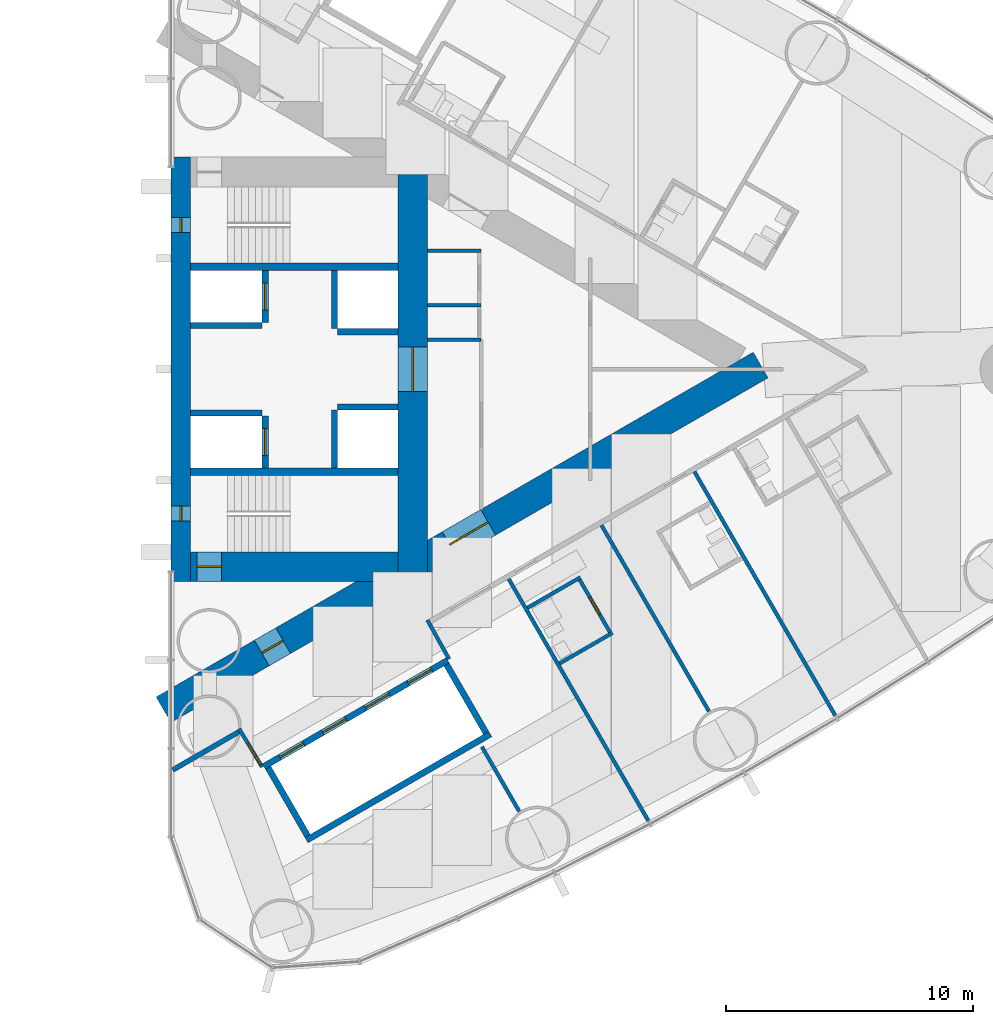
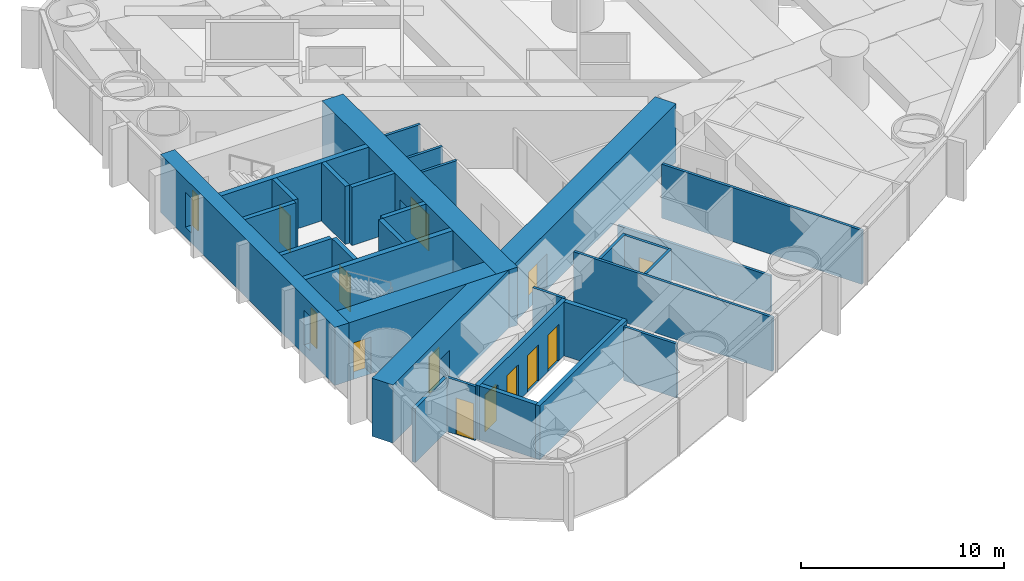
# One storey, part 13 of 18: 31 walls, 12 doors, 2 windows, 14 openings.
"""IFC4 building model written with IfcOpenShell, lengths in metres."""

from ifc_helpers import new_model, si_unit, direction, frame, frame_2d, origin, place, context, subcontext, project, spatial, rectangle, extrude, material, layer, layer_set, type_object, element, fill, save


model = new_model("IFC4")

# Units and contexts
model_context = context("Model", 3, precision=1e-05, world=origin(), true_north=direction((0.0, 1.0)))
body_context = subcontext(model_context, "Body", "Model", "MODEL_VIEW")
ifc_project = project(units=[si_unit("LENGTHUNIT", "METRE"), si_unit("AREAUNIT", "SQUARE_METRE"), si_unit("VOLUMEUNIT", "CUBIC_METRE"), si_unit("PLANEANGLEUNIT", "RADIAN"), si_unit("MASSUNIT", "GRAM", prefix="KILO")], contexts=[model_context])

# Site, building, storey
site_placement = place(None, origin())
site = spatial("IfcSite", under=ifc_project, at=site_placement, CompositionType="ELEMENT")
building_placement = place(site_placement, origin())
building = spatial("IfcBuilding", under=site, at=building_placement, Name="Lancet Gate Hotel", CompositionType="ELEMENT")
storey_placement = place(building_placement, frame((0.0, 0.0, 97.60009765625)))
storey = spatial("IfcBuildingStorey", under=building, at=storey_placement, Name="L25", CompositionType="ELEMENT", Elevation=97.60009765625)

# Wall
ifc_material_1 = material(Name="Moisture resistant board partition")
ifc_layer_1 = layer(ifc_material_1, 0.14990234375)
ifc_layer_set_1 = layer_set([ifc_layer_1], Name="Bathroom wall 150")
wall_type_1 = type_object("IfcWallType", Name="Bathroom wall 150", PredefinedType="PARTITIONING", material=ifc_layer_set_1)
wall_1_placement = place(storey_placement, frame((43.2548828125, -11.9208984375, 0.0), z_axis=(0.0, 0.0, 1.0), x_axis=(0.866006523861, 0.500032699561, 0.0)))
element("IfcWall", 1, at=wall_1_placement, inside=storey, type_object=wall_type_1, Name="T2 bathroom wall 150 L25", PredefinedType="PARTITIONING", context=body_context, shape_type="SweptSolid", body=[
    extrude(rectangle(XDim=2.474853515625, YDim=0.14990234375, at=frame_2d((1.2373046875, 0.0))), origin(), (0.0, 0.0, 1.0), 3.25),
])

# Wall, opening, door
wall_2_placement = place(storey_placement, frame((44.033203125, -8.46923828125, 0.0), z_axis=(0.0, 0.0, 1.0), x_axis=(0.500047596559, -0.865997922154, 0.0)))
wall_2 = element("IfcWall", 2, at=wall_2_placement, inside=storey, type_object=wall_type_1, Name="T2 bathroom wall 150 L25", PredefinedType="PARTITIONING", context=body_context, shape_type="SweptSolid", body=[
    extrude(rectangle(XDim=2.599853515625, YDim=0.14990234375, at=frame_2d((1.2998046875, 0.0))), origin(), (0.0, 0.0, 1.0), 3.25),
])
opening_1_placement = place(wall_2_placement, frame((0.89990234375, 0.0, 0.0)))
opening_1 = element("IfcOpeningElement", 3, at=opening_1_placement, cuts=wall_2, Name="Opening 2554-B", PredefinedType="OPENING", context=body_context, shape_type="SweptSolid", body=[
    extrude(rectangle(XDim=0.800048828125, YDim=2.199951171875, at=frame_2d((0.39990234375, 1.10009765625))), frame((0.0, 0.0849609375, 0.0), z_axis=(0.0, -1.0, 0.0), x_axis=(1.0, 0.0, 0.0)), (0.0, 0.0, 1.0), 0.169921875),
])
ifc_material_2 = material(Name="Timber door set", Category="wood")
door_type_1 = type_object("IfcDoorType", Name="Bathroom door 800", OperationType="SINGLE_SWING_RIGHT", PredefinedType="DOOR", material=ifc_material_2)
door_1_placement = place(opening_1_placement, origin())
door_1 = element("IfcDoor", 4, at=door_1_placement, inside=storey, type_object=door_type_1, Name="2554-B", OperationType="SINGLE_SWING_RIGHT", OverallHeight=2.199951171875, OverallWidth=0.800048828125, PredefinedType="DOOR", context=body_context, shape_type="SweptSolid", body=[
    extrude(rectangle(XDim=0.800048828125, YDim=2.199951171875, at=frame_2d((0.39990234375, 1.10009765625))), frame((0.0, 0.02490234375, 0.0), z_axis=(0.0, -1.0, 0.0), x_axis=(1.0, 0.0, 0.0)), (0.0, 0.0, 1.0), 0.050048828125),
])
fill(opening_1, door_1)

# Wall
wall_3_placement = place(storey_placement, frame((41.954833984375, -9.669189453125, 0.0), z_axis=(0.0, 0.0, 1.0), x_axis=(0.866006523861, 0.500032699561, 0.0)))
element("IfcWall", 5, at=wall_3_placement, inside=storey, type_object=wall_type_1, Name="T2 bathroom wall 150 L25", PredefinedType="PARTITIONING", context=body_context, shape_type="SweptSolid", body=[
    extrude(rectangle(XDim=2.474853515625, YDim=0.14990234375, at=frame_2d((1.2373046875, 0.0))), origin(), (0.0, 0.0, 1.0), 3.25),
])

# Wall, openings, doors
ifc_material_3 = material(Name="Concrete C70/85", Category="concrete")
ifc_layer_2 = layer(ifc_material_3, 1.199951171875)
ifc_layer_set_2 = layer_set([ifc_layer_2], Name="Buttress wall 1200")
wall_type_2 = type_object("IfcWallType", Name="Buttress wall 1200", PredefinedType="SHEAR", material=ifc_layer_set_2)
wall_4_placement = place(storey_placement, frame((27.199951171875, -13.800048828125, 0.0), z_axis=(0.0, 0.0, 1.0), x_axis=(0.866027159892, 0.499996958321, 0.0)))
wall_4 = element("IfcWall", 6, at=wall_4_placement, inside=storey, type_object=wall_type_2, Name="T2 buttress wall S L25", PredefinedType="SHEAR", context=body_context, shape_type="SweptSolid", body=[
    extrude(rectangle(XDim=27.946533203125, YDim=1.199951171875, at=frame_2d((13.97314453125, 0.0))), origin(), (0.0, 0.0, 1.0), 3.5),
])
opening_2_placement = place(wall_4_placement, frame((4.60009765625, 0.0, 0.0)))
opening_2 = element("IfcOpeningElement", 7, at=opening_2_placement, cuts=wall_4, Name="Opening T2-L25-LS", PredefinedType="OPENING", context=body_context, shape_type="SweptSolid", body=[
    extrude(rectangle(XDim=1.0, YDim=2.199951171875, at=frame_2d((0.5, 1.10009765625))), frame((0.0, 0.60986328125, 0.0), z_axis=(0.0, -1.0, 0.0), x_axis=(1.0, 0.0, 0.0)), (0.0, 0.0, 1.0), 1.219970703125),
])
opening_3_placement = place(wall_4_placement, frame((13.39453125, 0.0, 0.0)))
opening_3 = element("IfcOpeningElement", 8, at=opening_3_placement, cuts=wall_4, Name="Opening T2-L25-LHS", PredefinedType="OPENING", context=body_context, shape_type="SweptSolid", body=[
    extrude(rectangle(XDim=1.800048828125, YDim=2.199951171875, at=frame_2d((0.89990234375, 1.10009765625))), frame((0.0, 0.60986328125, 0.0), z_axis=(0.0, -1.0, 0.0), x_axis=(1.0, 0.0, 0.0)), (0.0, 0.0, 1.0), 1.219970703125),
])
ifc_material_4 = material(Name="Timber door set", Category="wood")
door_type_2 = type_object("IfcDoorType", Name="Lobby double door 1800", OperationType="DOUBLE_DOOR_SINGLE_SWING", PredefinedType="DOOR", material=ifc_material_4)
door_2_placement = place(opening_3_placement, origin())
door_2 = element("IfcDoor", 9, at=door_2_placement, inside=storey, type_object=door_type_2, Name="T2-L25-LHS", OperationType="DOUBLE_DOOR_SINGLE_SWING", OverallHeight=2.199951171875, OverallWidth=1.800048828125, PredefinedType="DOOR", context=body_context, shape_type="SweptSolid", body=[
    extrude(rectangle(XDim=1.800048828125, YDim=2.199951171875, at=frame_2d((0.89990234375, 1.10009765625))), frame((0.0, 0.02490234375, 0.0), z_axis=(0.0, -1.0, 0.0), x_axis=(1.0, 0.0, 0.0)), (0.0, 0.0, 1.0), 0.050048828125),
])
fill(opening_3, door_2)
ifc_material_5 = material(Name="Timber door set", Category="wood")
door_type_3 = type_object("IfcDoorType", Name="Stair lobby door 1000", OperationType="SINGLE_SWING_LEFT", PredefinedType="DOOR", material=ifc_material_5)
door_3_placement = place(opening_2_placement, origin())
door_3 = element("IfcDoor", 10, at=door_3_placement, inside=storey, type_object=door_type_3, Name="T2-L25-LS", OperationType="SINGLE_SWING_LEFT", OverallHeight=2.199951171875, OverallWidth=1.0, PredefinedType="DOOR", context=body_context, shape_type="SweptSolid", body=[
    extrude(rectangle(XDim=1.0, YDim=2.199951171875, at=frame_2d((0.5, 1.10009765625))), frame((0.0, 0.02490234375, 0.0), z_axis=(0.0, -1.0, 0.0), x_axis=(1.0, 0.0, 0.0)), (0.0, 0.0, 1.0), 0.050048828125),
])
fill(opening_2, door_3)

# Wall, opening, door
ifc_material_6 = material(Name="Concrete C70/85", Category="concrete")
ifc_layer_3 = layer(ifc_material_6, 1.199951171875)
ifc_layer_set_3 = layer_set([ifc_layer_3], Name="Core wall 1200")
wall_type_3 = type_object("IfcWallType", Name="Core wall 1200", PredefinedType="SHEAR", material=ifc_layer_set_3)
wall_5_placement = place(storey_placement, frame((37.300048828125, -8.60009765625, 0.0), z_axis=(0.0, 0.0, 1.0), x_axis=(0.0, 1.0, 0.0)))
wall_5 = element("IfcWall", 11, at=wall_5_placement, inside=storey, type_object=wall_type_3, Name="T2 core wall back L25", PredefinedType="SHEAR", context=body_context, shape_type="SweptSolid", body=[
    extrude(rectangle(XDim=17.2001953125, YDim=1.199951171875, at=frame_2d((8.60009765625, 0.0))), origin(), (0.0, 0.0, 1.0), 3.5),
])
opening_4_placement = place(wall_5_placement, frame((7.699951171875, 0.0, 0.0)))
opening_4 = element("IfcOpeningElement", 12, at=opening_4_placement, cuts=wall_5, Name="Opening T2-L25-LL", PredefinedType="OPENING", context=body_context, shape_type="SweptSolid", body=[
    extrude(rectangle(XDim=1.800048828125, YDim=2.199951171875, at=frame_2d((0.89990234375, 1.10009765625))), frame((0.0, 0.60986328125, 0.0), z_axis=(0.0, -1.0, 0.0), x_axis=(1.0, 0.0, 0.0)), (0.0, 0.0, 1.0), 1.219970703125),
])
door_4_placement = place(opening_4_placement, origin())
door_4 = element("IfcDoor", 13, at=door_4_placement, inside=storey, type_object=door_type_2, Name="T2-L25-LL", OperationType="DOUBLE_DOOR_SINGLE_SWING", OverallHeight=2.199951171875, OverallWidth=1.800048828125, PredefinedType="DOOR", context=body_context, shape_type="SweptSolid", body=[
    extrude(rectangle(XDim=1.800048828125, YDim=2.199951171875, at=frame_2d((0.89990234375, 1.10009765625))), frame((0.0, 0.02490234375, 0.0), z_axis=(0.0, -1.0, 0.0), x_axis=(1.0, 0.0, 0.0)), (0.0, 0.0, 1.0), 0.050048828125),
])
fill(opening_4, door_4)

wall_6_placement = place(storey_placement, frame((28.300048828125, -8.0, 0.0), z_axis=(0.0, 0.0, 1.0), x_axis=(1.0, 0.0, 0.0)))
wall_6 = element("IfcWall", 14, at=wall_6_placement, inside=storey, type_object=wall_type_3, Name="T2 core wall side-S L25", PredefinedType="SHEAR", context=body_context, shape_type="SweptSolid", body=[
    extrude(rectangle(XDim=8.39990234375, YDim=1.199951171875, at=frame_2d((4.199951171875, 0.0))), origin(), (0.0, 0.0, 1.0), 3.5),
])
opening_5_placement = place(wall_6_placement, frame((0.25, 0.0, 0.0)))
opening_5 = element("IfcOpeningElement", 15, at=opening_5_placement, cuts=wall_6, Name="Opening T2-L25-ST1", PredefinedType="OPENING", context=body_context, shape_type="SweptSolid", body=[
    extrude(rectangle(XDim=1.0, YDim=2.199951171875, at=frame_2d((0.5, 1.10009765625))), frame((0.0, 0.60986328125, 0.0), z_axis=(0.0, -1.0, 0.0), x_axis=(1.0, 0.0, 0.0)), (0.0, 0.0, 1.0), 1.219970703125),
])
ifc_material_7 = material(Name="Timber door set", Category="wood")
door_type_4 = type_object("IfcDoorType", Name="Stair door 1000", OperationType="SINGLE_SWING_RIGHT", PredefinedType="DOOR", material=ifc_material_7)
door_5_placement = place(opening_5_placement, origin())
door_5 = element("IfcDoor", 16, at=door_5_placement, inside=storey, type_object=door_type_4, Name="T2-L25-ST1", OperationType="SINGLE_SWING_RIGHT", OverallHeight=2.199951171875, OverallWidth=1.0, PredefinedType="DOOR", context=body_context, shape_type="SweptSolid", body=[
    extrude(rectangle(XDim=1.0, YDim=2.199951171875, at=frame_2d((0.5, 1.10009765625))), frame((0.0, 0.02490234375, 0.0), z_axis=(0.0, -1.0, 0.0), x_axis=(1.0, 0.0, 0.0)), (0.0, 0.0, 1.0), 0.050048828125),
])
fill(opening_5, door_5)

# Wall, openings, windows
ifc_material_8 = material(Name="Concrete C70/85", Category="concrete")
ifc_layer_4 = layer(ifc_material_8, 0.800048828125)
ifc_layer_set_4 = layer_set([ifc_layer_4], Name="Core wall 800")
wall_type_4 = type_object("IfcWallType", Name="Core wall 800", PredefinedType="SHEAR", material=ifc_layer_set_4)
wall_7_placement = place(storey_placement, frame((27.89990234375, -8.60009765625, 0.0), z_axis=(0.0, 0.0, 1.0), x_axis=(0.0, 1.0, 0.0)))
wall_7 = element("IfcWall", 17, at=wall_7_placement, inside=storey, type_object=wall_type_4, Name="T2 core wall front L25", PredefinedType="SHEAR", context=body_context, shape_type="SweptSolid", body=[
    extrude(rectangle(XDim=17.2001953125, YDim=0.800048828125, at=frame_2d((8.60009765625, 0.0))), origin(), (0.0, 0.0, 1.0), 3.5),
])
opening_6_placement = place(wall_7_placement, frame((2.449951171875, 0.0, 0.60009765625)))
opening_6 = element("IfcOpeningElement", 18, at=opening_6_placement, cuts=wall_7, Name="Opening LW1", PredefinedType="OPENING", context=body_context, shape_type="SweptSolid", body=[
    extrude(rectangle(XDim=0.60009765625, YDim=2.10009765625, at=frame_2d((0.300048828125, 1.050048828125))), frame((0.0, 0.409912109375, 0.0), z_axis=(0.0, -1.0, 0.0), x_axis=(1.0, 0.0, 0.0)), (0.0, 0.0, 1.0), 0.820068359375),
])
opening_7_placement = place(wall_7_placement, frame((14.14990234375, 0.0, 0.60009765625)))
opening_7 = element("IfcOpeningElement", 19, at=opening_7_placement, cuts=wall_7, Name="Opening LW1", PredefinedType="OPENING", context=body_context, shape_type="SweptSolid", body=[
    extrude(rectangle(XDim=0.60009765625, YDim=2.10009765625, at=frame_2d((0.300048828125, 1.050048828125))), frame((0.0, 0.409912109375, 0.0), z_axis=(0.0, -1.0, 0.0), x_axis=(1.0, 0.0, 0.0)), (0.0, 0.0, 1.0), 0.820068359375),
])
ifc_material_9 = material(Name="Fire-resisting glazed steel window", Category="steel")
window_type = type_object("IfcWindowType", Name="Lancet window 600x2100", PartitioningType="SINGLE_PANEL", PredefinedType="WINDOW", material=ifc_material_9)
window_1_placement = place(opening_6_placement, origin())
window_1 = element("IfcWindow", 20, at=window_1_placement, inside=storey, type_object=window_type, Name="T2 stair window S L25", OverallHeight=2.10009765625, OverallWidth=0.60009765625, PartitioningType="SINGLE_PANEL", PredefinedType="WINDOW", context=body_context, shape_type="SweptSolid", body=[
    extrude(rectangle(XDim=0.60009765625, YDim=2.10009765625, at=frame_2d((0.300048828125, 1.050048828125))), frame((0.0, 0.030029296875, 0.0), z_axis=(0.0, -1.0, 0.0), x_axis=(1.0, 0.0, 0.0)), (0.0, 0.0, 1.0), 0.06005859375),
])
fill(opening_6, window_1)
window_2_placement = place(opening_7_placement, origin())
window_2 = element("IfcWindow", 21, at=window_2_placement, inside=storey, type_object=window_type, Name="T2 stair window N L25", OverallHeight=2.10009765625, OverallWidth=0.60009765625, PartitioningType="SINGLE_PANEL", PredefinedType="WINDOW", context=body_context, shape_type="SweptSolid", body=[
    extrude(rectangle(XDim=0.60009765625, YDim=2.10009765625, at=frame_2d((0.300048828125, 1.050048828125))), frame((0.0, 0.030029296875, 0.0), z_axis=(0.0, -1.0, 0.0), x_axis=(1.0, 0.0, 0.0)), (0.0, 0.0, 1.0), 0.06005859375),
])
fill(opening_7, window_2)

# Wall
ifc_material_10 = material(Name="Gypsum board partition")
ifc_layer_5 = layer(ifc_material_10, 0.199951171875)
ifc_layer_set_5 = layer_set([ifc_layer_5], Name="Corridor wall 200")
wall_type_5 = type_object("IfcWallType", Name="Corridor wall 200", PredefinedType="PARTITIONING", material=ifc_layer_set_5)
wall_8_placement = place(storey_placement, frame((27.572021484375, -16.240966796875, 0.0), z_axis=(0.0, 0.0, 1.0), x_axis=(0.866029654818, 0.499992636921, 0.0)))
element("IfcWall", 22, at=wall_8_placement, inside=storey, type_object=wall_type_5, Name="T2 corridor wall 200 L25", PredefinedType="PARTITIONING", context=body_context, shape_type="SweptSolid", body=[
    extrude(rectangle(XDim=3.15478515625, YDim=0.199951171875, at=frame_2d((1.577392578125, 0.0))), origin(), (0.0, 0.0, 1.0), 3.25),
])

# Wall, openings, doors
ifc_material_11 = material(Name="Gypsum board partition")
ifc_layer_6 = layer(ifc_material_11, 0.25)
ifc_layer_set_6 = layer_set([ifc_layer_6], Name="Lift shaft partition 250")
wall_type_6 = type_object("IfcWallType", Name="Lift shaft partition 250", PredefinedType="PARTITIONING", material=ifc_layer_set_6)
wall_9_placement = place(storey_placement, frame((31.2705078125, -16.09716796875, 0.0), z_axis=(0.0, 0.0, 1.0), x_axis=(0.86604045752, 0.499973925258, 0.0)))
wall_9 = element("IfcWall", 23, at=wall_9_placement, inside=storey, type_object=wall_type_6, Name="T2 lift shaft wall LR L25", PredefinedType="PARTITIONING", context=body_context, shape_type="SweptSolid", body=[
    extrude(rectangle(XDim=8.60009765625, YDim=0.25, at=frame_2d((4.300048828125, 0.0))), origin(), (0.0, 0.0, 1.0), 3.25),
])
opening_8_placement = place(wall_9_placement, frame((0.75, 0.0, 0.0)))
opening_8 = element("IfcOpeningElement", 24, at=opening_8_placement, cuts=wall_9, Name="Opening T2-LR1-L25", PredefinedType="OPENING", context=body_context, shape_type="SweptSolid", body=[
    extrude(rectangle(XDim=1.10009765625, YDim=2.199951171875, at=frame_2d((0.550048828125, 1.10009765625))), frame((0.0, 0.135009765625, 0.0), z_axis=(0.0, -1.0, 0.0), x_axis=(1.0, 0.0, 0.0)), (0.0, 0.0, 1.0), 0.27001953125),
])
opening_9_placement = place(wall_9_placement, frame((2.75, 0.0, 0.0)))
opening_9 = element("IfcOpeningElement", 25, at=opening_9_placement, cuts=wall_9, Name="Opening T2-LR2-L25", PredefinedType="OPENING", context=body_context, shape_type="SweptSolid", body=[
    extrude(rectangle(XDim=1.10009765625, YDim=2.199951171875, at=frame_2d((0.550048828125, 1.10009765625))), frame((0.0, 0.135009765625, 0.0), z_axis=(0.0, -1.0, 0.0), x_axis=(1.0, 0.0, 0.0)), (0.0, 0.0, 1.0), 0.27001953125),
])
opening_10_placement = place(wall_9_placement, frame((4.75, 0.0, 0.0)))
opening_10 = element("IfcOpeningElement", 26, at=opening_10_placement, cuts=wall_9, Name="Opening T2-LR3-L25", PredefinedType="OPENING", context=body_context, shape_type="SweptSolid", body=[
    extrude(rectangle(XDim=1.10009765625, YDim=2.199951171875, at=frame_2d((0.550048828125, 1.10009765625))), frame((0.0, 0.135009765625, 0.0), z_axis=(0.0, -1.0, 0.0), x_axis=(1.0, 0.0, 0.0)), (0.0, 0.0, 1.0), 0.27001953125),
])
opening_11_placement = place(wall_9_placement, frame((6.75, 0.0, 0.0)))
opening_11 = element("IfcOpeningElement", 27, at=opening_11_placement, cuts=wall_9, Name="Opening T2-LR4-L25", PredefinedType="OPENING", context=body_context, shape_type="SweptSolid", body=[
    extrude(rectangle(XDim=1.10009765625, YDim=2.199951171875, at=frame_2d((0.550048828125, 1.10009765625))), frame((0.0, 0.135009765625, 0.0), z_axis=(0.0, -1.0, 0.0), x_axis=(1.0, 0.0, 0.0)), (0.0, 0.0, 1.0), 0.27001953125),
])
ifc_material_12 = material(Name="Steel door set", Category="steel")
door_type_5 = type_object("IfcDoorType", Name="Lift landing door 1100", OperationType="DOUBLE_DOOR_SLIDING", PredefinedType="USERDEFINED", material=ifc_material_12)
door_6_placement = place(opening_8_placement, origin())
door_6 = element("IfcDoor", 28, at=door_6_placement, inside=storey, type_object=door_type_5, Name="T2-LR1-L25", ObjectType="LIFT LANDING DOOR", OperationType="DOUBLE_DOOR_SLIDING", OverallHeight=2.199951171875, OverallWidth=1.10009765625, PredefinedType="USERDEFINED", context=body_context, shape_type="SweptSolid", body=[
    extrude(rectangle(XDim=1.10009765625, YDim=2.199951171875, at=frame_2d((0.550048828125, 1.10009765625))), frame((0.0, 0.02490234375, 0.0), z_axis=(0.0, -1.0, 0.0), x_axis=(1.0, 0.0, 0.0)), (0.0, 0.0, 1.0), 0.050048828125),
])
fill(opening_8, door_6)
door_7_placement = place(opening_9_placement, origin())
door_7 = element("IfcDoor", 29, at=door_7_placement, inside=storey, type_object=door_type_5, Name="T2-LR2-L25", ObjectType="LIFT LANDING DOOR", OperationType="DOUBLE_DOOR_SLIDING", OverallHeight=2.199951171875, OverallWidth=1.10009765625, PredefinedType="USERDEFINED", context=body_context, shape_type="SweptSolid", body=[
    extrude(rectangle(XDim=1.10009765625, YDim=2.199951171875, at=frame_2d((0.550048828125, 1.10009765625))), frame((0.0, 0.02490234375, 0.0), z_axis=(0.0, -1.0, 0.0), x_axis=(1.0, 0.0, 0.0)), (0.0, 0.0, 1.0), 0.050048828125),
])
fill(opening_9, door_7)
door_8_placement = place(opening_10_placement, origin())
door_8 = element("IfcDoor", 30, at=door_8_placement, inside=storey, type_object=door_type_5, Name="T2-LR3-L25", ObjectType="LIFT LANDING DOOR", OperationType="DOUBLE_DOOR_SLIDING", OverallHeight=2.199951171875, OverallWidth=1.10009765625, PredefinedType="USERDEFINED", context=body_context, shape_type="SweptSolid", body=[
    extrude(rectangle(XDim=1.10009765625, YDim=2.199951171875, at=frame_2d((0.550048828125, 1.10009765625))), frame((0.0, 0.02490234375, 0.0), z_axis=(0.0, -1.0, 0.0), x_axis=(1.0, 0.0, 0.0)), (0.0, 0.0, 1.0), 0.050048828125),
])
fill(opening_10, door_8)
door_9_placement = place(opening_11_placement, origin())
door_9 = element("IfcDoor", 31, at=door_9_placement, inside=storey, type_object=door_type_5, Name="T2-LR4-L25", ObjectType="LIFT LANDING DOOR", OperationType="DOUBLE_DOOR_SLIDING", OverallHeight=2.199951171875, OverallWidth=1.10009765625, PredefinedType="USERDEFINED", context=body_context, shape_type="SweptSolid", body=[
    extrude(rectangle(XDim=1.10009765625, YDim=2.199951171875, at=frame_2d((0.550048828125, 1.10009765625))), frame((0.0, 0.02490234375, 0.0), z_axis=(0.0, -1.0, 0.0), x_axis=(1.0, 0.0, 0.0)), (0.0, 0.0, 1.0), 0.050048828125),
])
fill(opening_11, door_9)

# Walls
wall_10_placement = place(storey_placement, frame((32.99560546875, -19.085693359375, 0.0), z_axis=(0.0, 0.0, 1.0), x_axis=(0.866028165386, 0.499995216735, 0.0)))
element("IfcWall", 32, at=wall_10_placement, inside=storey, type_object=wall_type_6, Name="T2 lift shaft wall LR L25", PredefinedType="PARTITIONING", context=body_context, shape_type="SweptSolid", body=[
    extrude(rectangle(XDim=8.60009765625, YDim=0.25, at=frame_2d((4.300048828125, 0.0))), origin(), (0.0, 0.0, 1.0), 3.25),
])
for number, where, z_axis, x_axis, name in (
    (33, (31.441162109375, -16.14306640625, 0.0), (0.0, 0.0, 1.0), (0.499929347863, -0.866066190972, 0.0), "T2 lift shaft wall LR L25"),
    (34, (38.672607421875, -11.968017578125, 0.0), (0.0, 0.0, 1.0), (0.499929347863, -0.866066190972, 0.0), "T2 lift shaft wall LR L25"),
):
    element("IfcWall", number, at=place(storey_placement, frame(where, z_axis=z_axis, x_axis=x_axis)), inside=storey, type_object=wall_type_6, Name=name, PredefinedType="PARTITIONING", context=body_context, shape_type="SweptSolid", body=[
        extrude(rectangle(XDim=3.20068359375, YDim=0.25, at=frame_2d((1.600341796875, 0.0))), origin(), (0.0, 0.0, 1.0), 3.25),
    ])

# Wall, opening, door
ifc_material_13 = material(Name="Concrete C50/60", Category="concrete")
ifc_layer_7 = layer(ifc_material_13, 0.25)
ifc_layer_set_7 = layer_set([ifc_layer_7], Name="Lift shaft wall 250")
wall_type_7 = type_object("IfcWallType", Name="Lift shaft wall 250", PredefinedType="SHEAR", material=ifc_layer_set_7)
wall_11_placement = place(storey_placement, frame((31.324951171875, -4.0, 0.0), z_axis=(0.0, 0.0, 1.0), x_axis=(0.0, 1.0, 0.0)))
wall_11 = element("IfcWall", 35, at=wall_11_placement, inside=storey, type_object=wall_type_7, Name="T2 core wall row1-S L25", PredefinedType="SHEAR", context=body_context, shape_type="SweptSolid", body=[
    extrude(rectangle(XDim=2.10009765625, YDim=0.25, at=frame_2d((1.050048828125, 0.0))), origin(), (0.0, 0.0, 1.0), 3.5),
])
opening_12_placement = place(wall_11_placement, frame((0.5, 0.0, 0.0)))
opening_12 = element("IfcOpeningElement", 36, at=opening_12_placement, cuts=wall_11, Name="Opening T2-SL1-L25", PredefinedType="OPENING", context=body_context, shape_type="SweptSolid", body=[
    extrude(rectangle(XDim=1.10009765625, YDim=2.199951171875, at=frame_2d((0.550048828125, 1.10009765625))), frame((0.0, 0.135009765625, 0.0), z_axis=(0.0, -1.0, 0.0), x_axis=(1.0, 0.0, 0.0)), (0.0, 0.0, 1.0), 0.27001953125),
])
ifc_material_14 = material(Name="Timber door set", Category="wood")
door_type_6 = type_object("IfcDoorType", Name="Service lift landing door 1100", OperationType="SLIDING_TO_LEFT", PredefinedType="USERDEFINED", material=ifc_material_14)
door_10_placement = place(opening_12_placement, origin())
door_10 = element("IfcDoor", 37, at=door_10_placement, inside=storey, type_object=door_type_6, Name="T2-SL1-L25", ObjectType="LIFT LANDING DOOR", OperationType="SLIDING_TO_LEFT", OverallHeight=2.199951171875, OverallWidth=1.10009765625, PredefinedType="USERDEFINED", context=body_context, shape_type="SweptSolid", body=[
    extrude(rectangle(XDim=1.10009765625, YDim=2.199951171875, at=frame_2d((0.550048828125, 1.10009765625))), frame((0.0, 0.02490234375, 0.0), z_axis=(0.0, -1.0, 0.0), x_axis=(1.0, 0.0, 0.0)), (0.0, 0.0, 1.0), 0.050048828125),
])
fill(opening_12, door_10)

# Walls
wall_12_placement = place(storey_placement, frame((34.125, -4.0, 0.0), z_axis=(0.0, 0.0, 1.0), x_axis=(0.0, 1.0, 0.0)))
element("IfcWall", 38, at=wall_12_placement, inside=storey, type_object=wall_type_7, Name="T2 core wall row2-S L25", PredefinedType="SHEAR", context=body_context, shape_type="SweptSolid", body=[
    extrude(rectangle(XDim=2.35009765625, YDim=0.25, at=frame_2d((1.175048828125, 0.0))), origin(), (0.0, 0.0, 1.0), 3.5),
])
wall_13_placement = place(storey_placement, frame((28.300048828125, -1.77490234375, 0.0), z_axis=(0.0, 0.0, 1.0), x_axis=(1.0, 0.0, 0.0)))
element("IfcWall", 39, at=wall_13_placement, inside=storey, type_object=wall_type_7, Name="T2 core wall pass1-S L25", PredefinedType="SHEAR", context=body_context, shape_type="SweptSolid", body=[
    extrude(rectangle(XDim=2.89990234375, YDim=0.25, at=frame_2d((1.449951171875, 0.0))), origin(), (0.0, 0.0, 1.0), 3.5),
])
wall_14_placement = place(storey_placement, frame((34.25, -1.52490234375, 0.0), z_axis=(0.0, 0.0, 1.0), x_axis=(1.0, 0.0, 0.0)))
element("IfcWall", 40, at=wall_14_placement, inside=storey, type_object=wall_type_7, Name="T2 core wall pass2-S L25", PredefinedType="SHEAR", context=body_context, shape_type="SweptSolid", body=[
    extrude(rectangle(XDim=2.449951171875, YDim=0.25, at=frame_2d((1.22509765625, 0.0))), origin(), (0.0, 0.0, 1.0), 3.5),
])

# Wall, opening, door
wall_15_placement = place(storey_placement, frame((31.324951171875, 1.89990234375, 0.0), z_axis=(0.0, 0.0, 1.0), x_axis=(0.0, 1.0, 0.0)))
wall_15 = element("IfcWall", 41, at=wall_15_placement, inside=storey, type_object=wall_type_7, Name="T2 core wall row1-N L25", PredefinedType="SHEAR", context=body_context, shape_type="SweptSolid", body=[
    extrude(rectangle(XDim=2.10009765625, YDim=0.25, at=frame_2d((1.050048828125, 0.0))), origin(), (0.0, 0.0, 1.0), 3.5),
])
opening_13_placement = place(wall_15_placement, frame((0.5, 0.0, 0.0)))
opening_13 = element("IfcOpeningElement", 42, at=opening_13_placement, cuts=wall_15, Name="Opening T2-FL2-L25", PredefinedType="OPENING", context=body_context, shape_type="SweptSolid", body=[
    extrude(rectangle(XDim=1.10009765625, YDim=2.199951171875, at=frame_2d((0.550048828125, 1.10009765625))), frame((0.0, 0.135009765625, 0.0), z_axis=(0.0, -1.0, 0.0), x_axis=(1.0, 0.0, 0.0)), (0.0, 0.0, 1.0), 0.27001953125),
])
ifc_material_15 = material(Name="Steel door set", Category="steel")
door_type_7 = type_object("IfcDoorType", Name="Firefighting lift landing door 1100", OperationType="SLIDING_TO_LEFT", PredefinedType="USERDEFINED", material=ifc_material_15)
door_11_placement = place(opening_13_placement, origin())
door_11 = element("IfcDoor", 43, at=door_11_placement, inside=storey, type_object=door_type_7, Name="T2-FL2-L25", ObjectType="LIFT LANDING DOOR", OperationType="SLIDING_TO_LEFT", OverallHeight=2.199951171875, OverallWidth=1.10009765625, PredefinedType="USERDEFINED", context=body_context, shape_type="SweptSolid", body=[
    extrude(rectangle(XDim=1.10009765625, YDim=2.199951171875, at=frame_2d((0.550048828125, 1.10009765625))), frame((0.0, 0.02490234375, 0.0), z_axis=(0.0, -1.0, 0.0), x_axis=(1.0, 0.0, 0.0)), (0.0, 0.0, 1.0), 0.050048828125),
])
fill(opening_13, door_11)

# Walls
wall_16_placement = place(storey_placement, frame((34.125, 1.64990234375, 0.0), z_axis=(0.0, 0.0, 1.0), x_axis=(0.0, 1.0, 0.0)))
element("IfcWall", 44, at=wall_16_placement, inside=storey, type_object=wall_type_7, Name="T2 core wall row2-N L25", PredefinedType="SHEAR", context=body_context, shape_type="SweptSolid", body=[
    extrude(rectangle(XDim=2.35009765625, YDim=0.25, at=frame_2d((1.175048828125, 0.0))), origin(), (0.0, 0.0, 1.0), 3.5),
])
wall_17_placement = place(storey_placement, frame((28.300048828125, 1.77490234375, 0.0), z_axis=(0.0, 0.0, 1.0), x_axis=(1.0, 0.0, 0.0)))
element("IfcWall", 45, at=wall_17_placement, inside=storey, type_object=wall_type_7, Name="T2 core wall pass1-N L25", PredefinedType="SHEAR", context=body_context, shape_type="SweptSolid", body=[
    extrude(rectangle(XDim=2.89990234375, YDim=0.25, at=frame_2d((1.449951171875, 0.0))), origin(), (0.0, 0.0, 1.0), 3.5),
])
wall_18_placement = place(storey_placement, frame((34.25, 1.52490234375, 0.0), z_axis=(0.0, 0.0, 1.0), x_axis=(1.0, 0.0, 0.0)))
element("IfcWall", 46, at=wall_18_placement, inside=storey, type_object=wall_type_7, Name="T2 core wall pass2-N L25", PredefinedType="SHEAR", context=body_context, shape_type="SweptSolid", body=[
    extrude(rectangle(XDim=2.449951171875, YDim=0.25, at=frame_2d((1.22509765625, 0.0))), origin(), (0.0, 0.0, 1.0), 3.5),
])
ifc_material_16 = material(Name="Gypsum board partition")
ifc_layer_8 = layer(ifc_material_16, 0.14990234375)
ifc_layer_set_8 = layer_set([ifc_layer_8], Name="Party wall 150")
wall_type_8 = type_object("IfcWallType", Name="Party wall 150", PredefinedType="PARTITIONING", material=ifc_layer_set_8)
wall_19_placement = place(storey_placement, frame((41.18994140625, -8.494140625, 0.0), z_axis=(0.0, 0.0, 1.0), x_axis=(0.49999258054, -0.866029687369, 0.0)))
element("IfcWall", 47, at=wall_19_placement, inside=storey, type_object=wall_type_8, Name="T2 party wall 150 L25", PredefinedType="PARTITIONING", context=body_context, shape_type="SweptSolid", body=[
    extrude(rectangle(XDim=11.318115234375, YDim=0.14990234375, at=frame_2d((5.6591796875, 0.0))), origin(), (0.0, 0.0, 1.0), 3.25),
])
wall_20_placement = place(storey_placement, frame((44.95361328125, -6.3212890625, 0.0), z_axis=(0.0, 0.0, 1.0), x_axis=(0.500018676722, -0.866014620505, 0.0)))
element("IfcWall", 48, at=wall_20_placement, inside=storey, type_object=wall_type_8, Name="T2 party wall 150 L25", PredefinedType="PARTITIONING", context=body_context, shape_type="SweptSolid", body=[
    extrude(rectangle(XDim=8.703857421875, YDim=0.14990234375, at=frame_2d((4.35205078125, 0.0))), origin(), (0.0, 0.0, 1.0), 2.199951171875),
])
wall_21_placement = place(storey_placement, frame((48.718505859375, -4.1474609375, 0.0), z_axis=(0.0, 0.0, 1.0), x_axis=(0.499990498062, -0.866030889661, 0.0)))
element("IfcWall", 49, at=wall_21_placement, inside=storey, type_object=wall_type_8, Name="T2 party wall 150 L25", PredefinedType="PARTITIONING", context=body_context, shape_type="SweptSolid", body=[
    extrude(rectangle(XDim=11.406005859375, YDim=0.14990234375, at=frame_2d((5.703125, 0.0))), origin(), (0.0, 0.0, 1.0), 3.25),
])
wall_22_placement = place(storey_placement, frame((40.10546875, -15.298583984375, 0.0), z_axis=(0.0, 0.0, 1.0), x_axis=(0.499978822259, -0.866037630414, 0.0)))
element("IfcWall", 50, at=wall_22_placement, inside=storey, type_object=wall_type_8, Name="T2 party wall 150 L25", PredefinedType="PARTITIONING", context=body_context, shape_type="SweptSolid", body=[
    extrude(rectangle(XDim=3.022705078125, YDim=0.14990234375, at=frame_2d((1.51123046875, 0.0))), origin(), (0.0, 0.0, 1.0), 3.25),
])

# Wall, opening, door
ifc_material_17 = material(Name="Gypsum board partition")
ifc_layer_9 = layer(ifc_material_17, 0.14990234375)
ifc_layer_set_9 = layer_set([ifc_layer_9], Name="Service room wall 150")
wall_type_9 = type_object("IfcWallType", Name="Service room wall 150", PredefinedType="PARTITIONING", material=ifc_layer_set_9)
wall_23_placement = place(storey_placement, frame((30.26708984375, -14.5693359375, 0.0), z_axis=(0.0, 0.0, 1.0), x_axis=(0.514336634837, -0.857588377991, 0.0)))
wall_23 = element("IfcWall", 51, at=wall_23_placement, inside=storey, type_object=wall_type_9, Name="T2 service room wall 150 L25", PredefinedType="PARTITIONING", context=body_context, shape_type="SweptSolid", body=[
    extrude(rectangle(XDim=1.80517578125, YDim=0.14990234375, at=frame_2d((0.902587890625, 0.0))), origin(), (0.0, 0.0, 1.0), 3.25),
])
opening_14_placement = place(wall_23_placement, frame((0.702880859375, 0.0, 0.0)))
opening_14 = element("IfcOpeningElement", 52, at=opening_14_placement, cuts=wall_23, Name="Opening T2-L25-LO1", PredefinedType="OPENING", context=body_context, shape_type="SweptSolid", body=[
    extrude(rectangle(XDim=1.0, YDim=2.199951171875, at=frame_2d((0.5, 1.10009765625))), frame((0.0, 0.0849609375, 0.0), z_axis=(0.0, -1.0, 0.0), x_axis=(1.0, 0.0, 0.0)), (0.0, 0.0, 1.0), 0.169921875),
])
ifc_material_18 = material(Name="Timber door set", Category="wood")
door_type_8 = type_object("IfcDoorType", Name="Service door 1000", OperationType="SINGLE_SWING_LEFT", PredefinedType="DOOR", material=ifc_material_18)
door_12_placement = place(opening_14_placement, origin())
door_12 = element("IfcDoor", 53, at=door_12_placement, inside=storey, type_object=door_type_8, Name="T2-L25-LO1", OperationType="SINGLE_SWING_LEFT", OverallHeight=2.199951171875, OverallWidth=1.0, PredefinedType="DOOR", context=body_context, shape_type="SweptSolid", body=[
    extrude(rectangle(XDim=1.0, YDim=2.199951171875, at=frame_2d((0.5, 1.10009765625))), frame((0.0, 0.02490234375, 0.0), z_axis=(0.0, -1.0, 0.0), x_axis=(1.0, 0.0, 0.0)), (0.0, 0.0, 1.0), 0.050048828125),
])
fill(opening_14, door_12)

# Walls
wall_24_placement = place(storey_placement, frame((38.7734375, -11.742431640625, 0.0), z_axis=(0.0, 0.0, 1.0), x_axis=(-0.485528096672, 0.8742210632, 0.0)))
element("IfcWall", 54, at=wall_24_placement, inside=storey, type_object=wall_type_9, Name="T2 service room wall 150 L25", PredefinedType="PARTITIONING", context=body_context, shape_type="SweptSolid", body=[
    extrude(rectangle(XDim=1.80517578125, YDim=0.14990234375, at=frame_2d((0.902587890625, 0.0))), origin(), (0.0, 0.0, 1.0), 3.25),
])
for number, where, z_axis, x_axis, name in (
    (55, (37.89990234375, 1.199951171875, 0.0), (0.0, 0.0, 1.0), (1.0, 0.0, 0.0), "T2 service room wall 150 L25"),
    (56, (37.89990234375, 2.60009765625, 0.0), (0.0, 0.0, 1.0), (1.0, 0.0, 0.0), "T2 service room wall 150 L25"),
    (57, (37.89990234375, 4.800048828125, 0.0), (0.0, 0.0, 1.0), (1.0, 0.0, 0.0), "T2 service room wall 150 L25"),
):
    element("IfcWall", number, at=place(storey_placement, frame(where, z_axis=z_axis, x_axis=x_axis)), inside=storey, type_object=wall_type_9, Name=name, PredefinedType="PARTITIONING", context=body_context, shape_type="SweptSolid", body=[
        extrude(rectangle(XDim=2.175048828125, YDim=0.14990234375, at=frame_2d((1.08740234375, 0.0))), origin(), (0.0, 0.0, 1.0), 3.25),
    ])
ifc_material_19 = material(Name="Concrete C50/60", Category="concrete")
ifc_layer_10 = layer(ifc_material_19, 0.300048828125)
ifc_layer_set_10 = layer_set([ifc_layer_10], Name="Stair enclosure wall 300")
wall_type_10 = type_object("IfcWallType", Name="Stair enclosure wall 300", PredefinedType="SHEAR", material=ifc_layer_set_10)
for number, where, z_axis, x_axis, name in (
    (58, (28.300048828125, -4.14990234375, 0.0), (0.0, 0.0, 1.0), (1.0, 0.0, 0.0), "T2 core wall stair-S L25"),
    (59, (28.300048828125, 4.14990234375, 0.0), (0.0, 0.0, 1.0), (1.0, 0.0, 0.0), "T2 core wall stair-N L25"),
):
    element("IfcWall", number, at=place(storey_placement, frame(where, z_axis=z_axis, x_axis=x_axis)), inside=storey, type_object=wall_type_10, Name=name, PredefinedType="SHEAR", context=body_context, shape_type="SweptSolid", body=[
        extrude(rectangle(XDim=8.39990234375, YDim=0.300048828125, at=frame_2d((4.199951171875, 0.0))), origin(), (0.0, 0.0, 1.0), 3.5),
    ])

save(model, "model.ifc")
